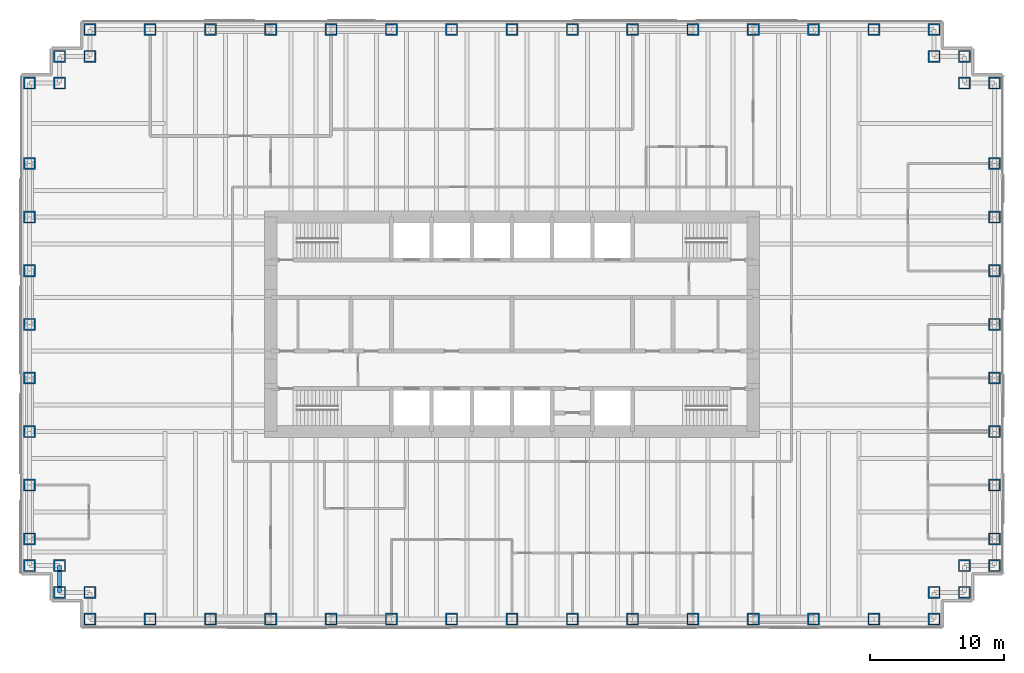
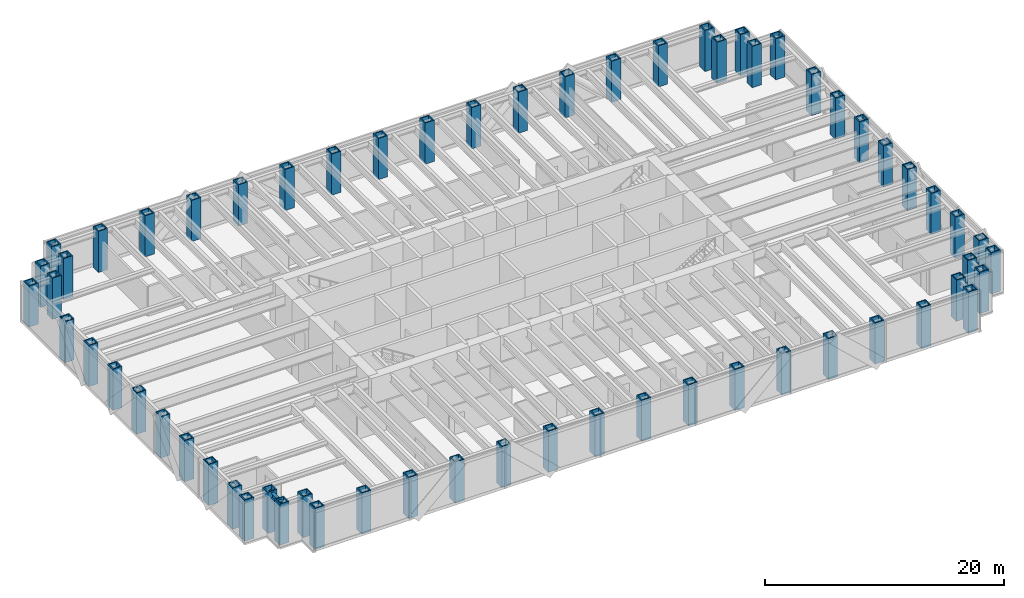
# One storey, part 1 of 15: 62 columns, 1 beam.
"""IFC4 building model written with IfcOpenShell, lengths in metres."""

from ifc_helpers import new_model, si_unit, direction, frame, origin, origin_2d, place, context, subcontext, project, spatial, hollow_rectangle, i_section, extrude, material, material_profile, profile_set, type_object, element, save


model = new_model("IFC4")

# Units and contexts
model_context = context("Model", 3, precision=1e-05, world=origin(), true_north=direction((0.0, 1.0)))
body_context = subcontext(model_context, "Body", "Model", "MODEL_VIEW")
ifc_project = project(units=[si_unit("LENGTHUNIT", "METRE"), si_unit("AREAUNIT", "SQUARE_METRE"), si_unit("VOLUMEUNIT", "CUBIC_METRE"), si_unit("PLANEANGLEUNIT", "RADIAN"), si_unit("MASSUNIT", "GRAM", prefix="KILO")], contexts=[model_context])

# Site, building, storey
site_placement = place(None, origin())
site = spatial("IfcSite", under=ifc_project, at=site_placement, CompositionType="ELEMENT")
building_placement = place(site_placement, origin())
building = spatial("IfcBuilding", under=site, at=building_placement, Name="Rheinbord Bourse Tower", CompositionType="ELEMENT")
storey_placement = place(building_placement, frame((0.0, 0.0, 134.10009765625)))
storey = spatial("IfcBuildingStorey", under=building, at=storey_placement, Name="L29", CompositionType="ELEMENT", Elevation=134.10009765625)

# Columns
ifc_material_1 = material(Name="Steel S460M", Category="steel")
ifc_material_profile_1 = material_profile(ifc_material_1, hollow_rectangle(XDim=0.89990234375, YDim=0.89990234375, WallThickness=0.10009765625, at=origin_2d()), Name="BOX 900x900x100")
ifc_profile_set_1 = profile_set([ifc_material_profile_1], Name="Steel S460M")
column_type = type_object("IfcColumnType", Name="TUBE COLUMN BOX 900x900x100", PredefinedType="COLUMN", material=ifc_profile_set_1)
for number, where, z_axis, x_axis, name in (
    (1, (4.5, 2.0, 0.0), (0.0, 0.0, 1.0), (0.0, 1.0, 0.0), "Column SW-E L29"),
    (2, (9.0, 2.0, 0.0), (0.0, 0.0, 1.0), (0.0, 1.0, 0.0), "Column S-9 L29"),
    (3, (13.5, 2.0, 0.0), (0.0, 0.0, 1.0), (0.0, 1.0, 0.0), "Column S-13.5 L29"),
    (4, (18.0, 2.0, 0.0), (0.0, 0.0, 1.0), (0.0, 1.0, 0.0), "Column S-18 L29"),
    (5, (22.5, 2.0, 0.0), (0.0, 0.0, 1.0), (0.0, 1.0, 0.0), "Column S-22.5 L29"),
    (6, (27.0, 2.0, 0.0), (0.0, 0.0, 1.0), (0.0, 1.0, 0.0), "Column S-27 L29"),
    (7, (31.5, 2.0, 0.0), (0.0, 0.0, 1.0), (0.0, 1.0, 0.0), "Column S-31.5 L29"),
    (8, (36.0, 2.0, 0.0), (0.0, 0.0, 1.0), (0.0, 1.0, 0.0), "Column S-36 L29"),
    (9, (40.5, 2.0, 0.0), (0.0, 0.0, 1.0), (0.0, 1.0, 0.0), "Column S-40.5 L29"),
    (10, (45.0, 2.0, 0.0), (0.0, 0.0, 1.0), (0.0, 1.0, 0.0), "Column S-45 L29"),
    (11, (49.5, 2.0, 0.0), (0.0, 0.0, 1.0), (0.0, 1.0, 0.0), "Column S-49.5 L29"),
    (12, (54.0, 2.0, 0.0), (0.0, 0.0, 1.0), (0.0, 1.0, 0.0), "Column S-54 L29"),
    (13, (58.5, 2.0, 0.0), (0.0, 0.0, 1.0), (0.0, 1.0, 0.0), "Column S-58.5 L29"),
    (14, (63.0, 2.0, 0.0), (0.0, 0.0, 1.0), (0.0, 1.0, 0.0), "Column S-63 L29"),
    (15, (67.5, 2.0, 0.0), (0.0, 0.0, 1.0), (0.0, 1.0, 0.0), "Column SE-E L29"),
    (16, (67.5, 4.0, 0.0), (0.0, 0.0, 1.0), (0.0, 1.0, 0.0), "Column SE-D L29"),
    (17, (69.75, 4.0, 0.0), (0.0, 0.0, 1.0), (1.0, 0.0, 0.0), "Column SE-C L29"),
    (18, (69.75, 6.0, 0.0), (0.0, 0.0, 1.0), (1.0, 0.0, 0.0), "Column SE-B L29"),
    (19, (72.0, 6.0, 0.0), (0.0, 0.0, 1.0), (1.0, 0.0, 0.0), "Column SE-A L29"),
    (20, (72.0, 8.0, 0.0), (0.0, 0.0, 1.0), (1.0, 0.0, 0.0), "Column E-8 L29"),
    (21, (72.0, 12.0, 0.0), (0.0, 0.0, 1.0), (1.0, 0.0, 0.0), "Column E-12 L29"),
    (22, (72.0, 16.0, 0.0), (0.0, 0.0, 1.0), (1.0, 0.0, 0.0), "Column E-16 L29"),
    (23, (72.0, 20.0, 0.0), (0.0, 0.0, 1.0), (1.0, 0.0, 0.0), "Column E-20 L29"),
    (24, (72.0, 24.0, 0.0), (0.0, 0.0, 1.0), (1.0, 0.0, 0.0), "Column E-24 L29"),
    (25, (72.0, 28.0, 0.0), (0.0, 0.0, 1.0), (1.0, 0.0, 0.0), "Column E-28 L29"),
    (26, (72.0, 32.0, 0.0), (0.0, 0.0, 1.0), (1.0, 0.0, 0.0), "Column E-32 L29"),
    (27, (72.0, 36.0, 0.0), (0.0, 0.0, 1.0), (1.0, 0.0, 0.0), "Column E-36 L29"),
    (28, (72.0, 42.0, 0.0), (0.0, 0.0, 1.0), (1.0, 0.0, 0.0), "Column NE-A L29"),
    (29, (69.75, 42.0, 0.0), (0.0, 0.0, 1.0), (1.0, 0.0, 0.0), "Column NE-B L29"),
    (30, (69.75, 44.0, 0.0), (0.0, 0.0, 1.0), (1.0, 0.0, 0.0), "Column NE-C L29"),
    (31, (67.5, 44.0, 0.0), (0.0, 0.0, 1.0), (0.0, 1.0, 0.0), "Column NE-D L29"),
    (32, (67.5, 46.0, 0.0), (0.0, 0.0, 1.0), (0.0, 1.0, 0.0), "Column NE-E L29"),
    (33, (63.0, 46.0, 0.0), (0.0, 0.0, 1.0), (0.0, 1.0, 0.0), "Column N-63 L29"),
    (34, (58.5, 46.0, 0.0), (0.0, 0.0, 1.0), (0.0, 1.0, 0.0), "Column N-58.5 L29"),
    (35, (54.0, 46.0, 0.0), (0.0, 0.0, 1.0), (0.0, 1.0, 0.0), "Column N-54 L29"),
    (36, (49.5, 46.0, 0.0), (0.0, 0.0, 1.0), (0.0, 1.0, 0.0), "Column N-49.5 L29"),
    (37, (45.0, 46.0, 0.0), (0.0, 0.0, 1.0), (0.0, 1.0, 0.0), "Column N-45 L29"),
    (38, (40.5, 46.0, 0.0), (0.0, 0.0, 1.0), (0.0, 1.0, 0.0), "Column N-40.5 L29"),
    (39, (36.0, 46.0, 0.0), (0.0, 0.0, 1.0), (0.0, 1.0, 0.0), "Column N-36 L29"),
    (40, (31.5, 46.0, 0.0), (0.0, 0.0, 1.0), (0.0, 1.0, 0.0), "Column N-31.5 L29"),
    (41, (27.0, 46.0, 0.0), (0.0, 0.0, 1.0), (0.0, 1.0, 0.0), "Column N-27 L29"),
    (42, (22.5, 46.0, 0.0), (0.0, 0.0, 1.0), (0.0, 1.0, 0.0), "Column N-22.5 L29"),
    (43, (18.0, 46.0, 0.0), (0.0, 0.0, 1.0), (0.0, 1.0, 0.0), "Column N-18 L29"),
    (44, (13.5, 46.0, 0.0), (0.0, 0.0, 1.0), (0.0, 1.0, 0.0), "Column N-13.5 L29"),
    (45, (9.0, 46.0, 0.0), (0.0, 0.0, 1.0), (0.0, 1.0, 0.0), "Column N-9 L29"),
    (46, (4.5, 46.0, 0.0), (0.0, 0.0, 1.0), (0.0, 1.0, 0.0), "Column NW-E L29"),
    (47, (4.5, 44.0, 0.0), (0.0, 0.0, 1.0), (0.0, 1.0, 0.0), "Column NW-D L29"),
    (48, (2.25, 44.0, 0.0), (0.0, 0.0, 1.0), (1.0, 0.0, 0.0), "Column NW-C L29"),
    (49, (2.25, 42.0, 0.0), (0.0, 0.0, 1.0), (1.0, 0.0, 0.0), "Column NW-B L29"),
    (50, (0.0, 42.0, 0.0), (0.0, 0.0, 1.0), (1.0, 0.0, 0.0), "Column NW-A L29"),
    (51, (0.0, 36.0, 0.0), (0.0, 0.0, 1.0), (1.0, 0.0, 0.0), "Column W-36 L29"),
    (52, (0.0, 32.0, 0.0), (0.0, 0.0, 1.0), (1.0, 0.0, 0.0), "Column W-32 L29"),
    (53, (0.0, 28.0, 0.0), (0.0, 0.0, 1.0), (1.0, 0.0, 0.0), "Column W-28 L29"),
    (54, (0.0, 24.0, 0.0), (0.0, 0.0, 1.0), (1.0, 0.0, 0.0), "Column W-24 L29"),
    (55, (0.0, 20.0, 0.0), (0.0, 0.0, 1.0), (1.0, 0.0, 0.0), "Column W-20 L29"),
    (56, (0.0, 16.0, 0.0), (0.0, 0.0, 1.0), (1.0, 0.0, 0.0), "Column W-16 L29"),
    (57, (0.0, 12.0, 0.0), (0.0, 0.0, 1.0), (1.0, 0.0, 0.0), "Column W-12 L29"),
    (58, (0.0, 8.0, 0.0), (0.0, 0.0, 1.0), (1.0, 0.0, 0.0), "Column W-8 L29"),
    (59, (0.0, 6.0, 0.0), (0.0, 0.0, 1.0), (1.0, 0.0, 0.0), "Column SW-A L29"),
    (60, (2.25, 6.0, 0.0), (0.0, 0.0, 1.0), (1.0, 0.0, 0.0), "Column SW-B L29"),
    (61, (2.25, 4.0, 0.0), (0.0, 0.0, 1.0), (1.0, 0.0, 0.0), "Column SW-C L29"),
    (62, (4.5, 4.0, 0.0), (0.0, 0.0, 1.0), (0.0, 1.0, 0.0), "Column SW-D L29"),
):
    element("IfcColumn", number, at=place(storey_placement, frame(where, z_axis=z_axis, x_axis=x_axis)), inside=storey, type_object=column_type, Name=name, PredefinedType="COLUMN", context=body_context, shape_type="SweptSolid", body=[
        extrude(hollow_rectangle(XDim=0.89990234375, YDim=0.89990234375, WallThickness=0.10009765625, at=origin_2d()), origin(), (0.0, 0.0, 1.0), 4.199951171875),
    ])

# Beam
ifc_material_2 = material(Name="Steel S460", Category="steel")
ifc_material_profile_2 = material_profile(ifc_material_2, i_section(OverallWidth=0.305908203125, OverallDepth=0.572021484375, WebThickness=0.02099609375, FlangeThickness=0.0400390625, at=origin_2d()), Name="HEM 550")
ifc_profile_set_2 = profile_set([ifc_material_profile_2], Name="Steel S460")
beam_type = type_object("IfcBeamType", Name="SPANDREL HEM 550", PredefinedType="SPANDREL", material=ifc_profile_set_2)
beam_placement = place(storey_placement, frame((2.25, 6.0, 3.75390625), z_axis=(0.0, -1.0, 0.0), x_axis=(1.0, 0.0, 0.0)))
element("IfcBeam", 63, at=beam_placement, inside=storey, type_object=beam_type, Name="Spandrel SW-B-SW-C under L30", PredefinedType="SPANDREL", context=body_context, shape_type="SweptSolid", body=[
    extrude(i_section(OverallWidth=0.305908203125, OverallDepth=0.572021484375, WebThickness=0.02099609375, FlangeThickness=0.0400390625, at=origin_2d()), origin(), (0.0, 0.0, 1.0), 2.0),
])

save(model, "model.ifc")
